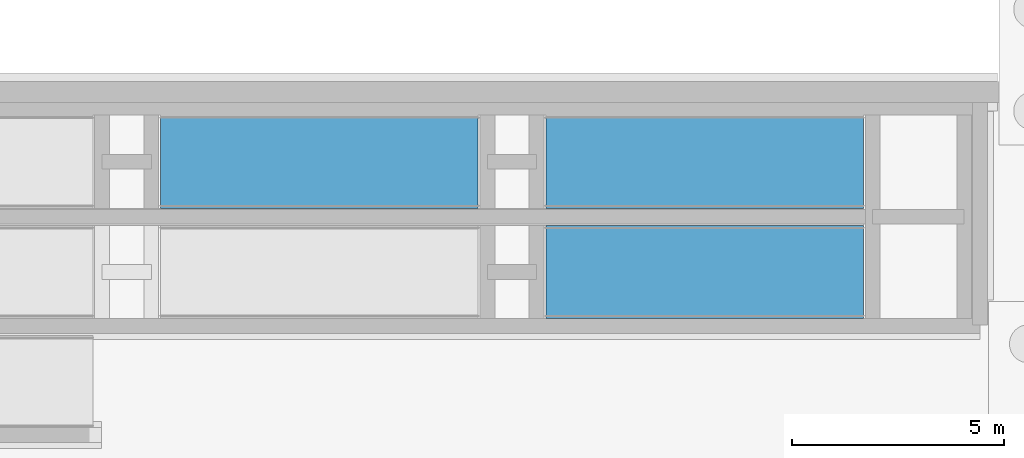
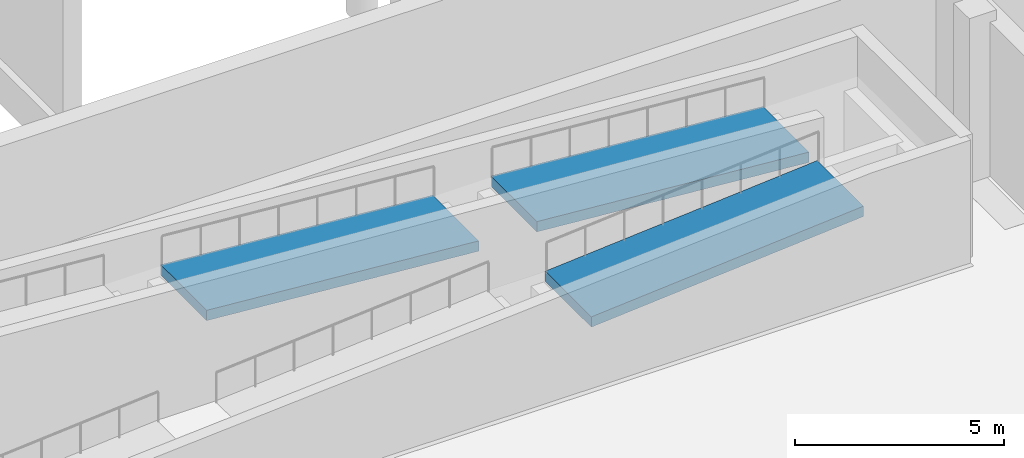
# One storey, part 49 of 59: 3 ramp flights, 3 elements without a shape of their own.
"""IFC4 building model written with IfcOpenShell, lengths in metres."""

from ifc_helpers import new_model, si_unit, direction, frame, origin, place, context, subcontext, project, spatial, polyline, outline, extrude, material, layer, layer_set, type_object, element, aggregate, save


model = new_model("IFC4")

# Units and contexts
model_context = context("Model", 3, precision=1e-05, world=origin(), true_north=direction((0.0, 1.0)))
body_context = subcontext(model_context, "Body", "Model", "MODEL_VIEW")
ifc_project = project(units=[si_unit("LENGTHUNIT", "METRE"), si_unit("AREAUNIT", "SQUARE_METRE"), si_unit("VOLUMEUNIT", "CUBIC_METRE"), si_unit("PLANEANGLEUNIT", "RADIAN"), si_unit("MASSUNIT", "GRAM", prefix="KILO")], contexts=[model_context])

# Site, building, storey
site_placement = place(None, origin())
site = spatial("IfcSite", under=ifc_project, at=site_placement, CompositionType="ELEMENT")
building_placement = place(site_placement, origin())
building = spatial("IfcBuilding", under=site, at=building_placement, Name="Montealbar Specialist Clinic", CompositionType="ELEMENT")
storey_placement = place(building_placement, frame((0.0, 0.0, -4.800048828125)))
storey = spatial("IfcBuildingStorey", under=building, at=storey_placement, Name="B01", CompositionType="ELEMENT", Elevation=-4.800048828125)

# Ramp, ramp flight
ifc_material = material(Name="Guadarrama granite ashlar", Category="masonry")
ramp_type = type_object("IfcRampType", Name="RAMP-PED-TYPE", PredefinedType="STRAIGHT_RUN_RAMP", material=ifc_material)
ramp_1_placement = place(storey_placement, origin())
ramp_1 = element("IfcRamp", 1, at=ramp_1_placement, inside=storey, type_object=ramp_type, material=ifc_material, Name="Sunken Forecourt Accessible Terrace Ramp PR-03", PredefinedType="STRAIGHT_RUN_RAMP")
ifc_layer = layer(ifc_material, 0.300048828125, Name="Guadarrama granite ashlar", Category="masonry")
ifc_layer_set = layer_set([ifc_layer], Name="Guadarrama granite ashlar")
ramp_flight_type = type_object("IfcRampFlightType", Name="RAMPFLIGHT-PED-240", PredefinedType="STRAIGHT", material=ifc_layer_set)
ramp_flight_1_placement = place(storey_placement, frame((39.699951171875, 33.60009765625, 3.0), z_axis=(0.0, 0.0, 1.0), x_axis=(-1.0, 0.0, 0.0)))
ramp_flight_1 = element("IfcRampFlight", 2, at=ramp_flight_1_placement, type_object=ramp_flight_type, material=ifc_material, Name="Accessible Ramp Flight PR-03", PredefinedType="STRAIGHT", context=body_context, shape_type="SweptSolid", body=[
    extrude(outline(polyline([(0.0, -0.300048828125), (7.5, 0.300048828125), (7.5, 0.60009765625), (0.0, 0.0), (0.0, -0.300048828125)])), frame((0.0, 1.10009765625, 0.0), z_axis=(0.0, -1.0, 0.0), x_axis=(1.0, 0.0, 0.0)), (0.0, 0.0, 1.0), 2.199951171875),
])
aggregate(ramp_1, [ramp_flight_1])

ramp_2_placement = place(storey_placement, origin())
ramp_2 = element("IfcRamp", 3, at=ramp_2_placement, inside=storey, type_object=ramp_type, material=ifc_material, Name="Sunken Forecourt Accessible Terrace Ramp PR-04", PredefinedType="STRAIGHT_RUN_RAMP")
ramp_flight_2_placement = place(storey_placement, frame((48.800048828125, 33.60009765625, 2.400146484375), z_axis=(0.0, 0.0, 1.0), x_axis=(-1.0, 0.0, 0.0)))
ramp_flight_2 = element("IfcRampFlight", 4, at=ramp_flight_2_placement, type_object=ramp_flight_type, material=ifc_material, Name="Accessible Ramp Flight PR-04", PredefinedType="STRAIGHT", context=body_context, shape_type="SweptSolid", body=[
    extrude(outline(polyline([(0.0, -0.300048828125), (7.5, 0.2998046875), (7.5, 0.599853515625), (0.0, 0.0), (0.0, -0.300048828125)])), frame((0.0, 1.10009765625, 0.0), z_axis=(0.0, -1.0, 0.0), x_axis=(1.0, 0.0, 0.0)), (0.0, 0.0, 1.0), 2.199951171875),
])
aggregate(ramp_2, [ramp_flight_2])

ramp_3_placement = place(storey_placement, origin())
ramp_3 = element("IfcRamp", 5, at=ramp_3_placement, inside=storey, type_object=ramp_type, material=ifc_material, Name="Sunken Forecourt Accessible Terrace Ramp PR-05", PredefinedType="STRAIGHT_RUN_RAMP")
ramp_flight_3_placement = place(storey_placement, frame((41.300048828125, 31.0, 1.800048828125), z_axis=(0.0, 0.0, 1.0), x_axis=(1.0, 0.0, 0.0)))
ramp_flight_3 = element("IfcRampFlight", 6, at=ramp_flight_3_placement, type_object=ramp_flight_type, material=ifc_material, Name="Accessible Ramp Flight PR-05", PredefinedType="STRAIGHT", context=body_context, shape_type="SweptSolid", body=[
    extrude(outline(polyline([(0.0, -0.300048828125), (7.5, 0.300048828125), (7.5, 0.60009765625), (0.0, 0.0), (0.0, -0.300048828125)])), frame((0.0, 1.10009765625, 0.0), z_axis=(0.0, -1.0, 0.0), x_axis=(1.0, 0.0, 0.0)), (0.0, 0.0, 1.0), 2.199951171875),
])
aggregate(ramp_3, [ramp_flight_3])

save(model, "model.ifc")
